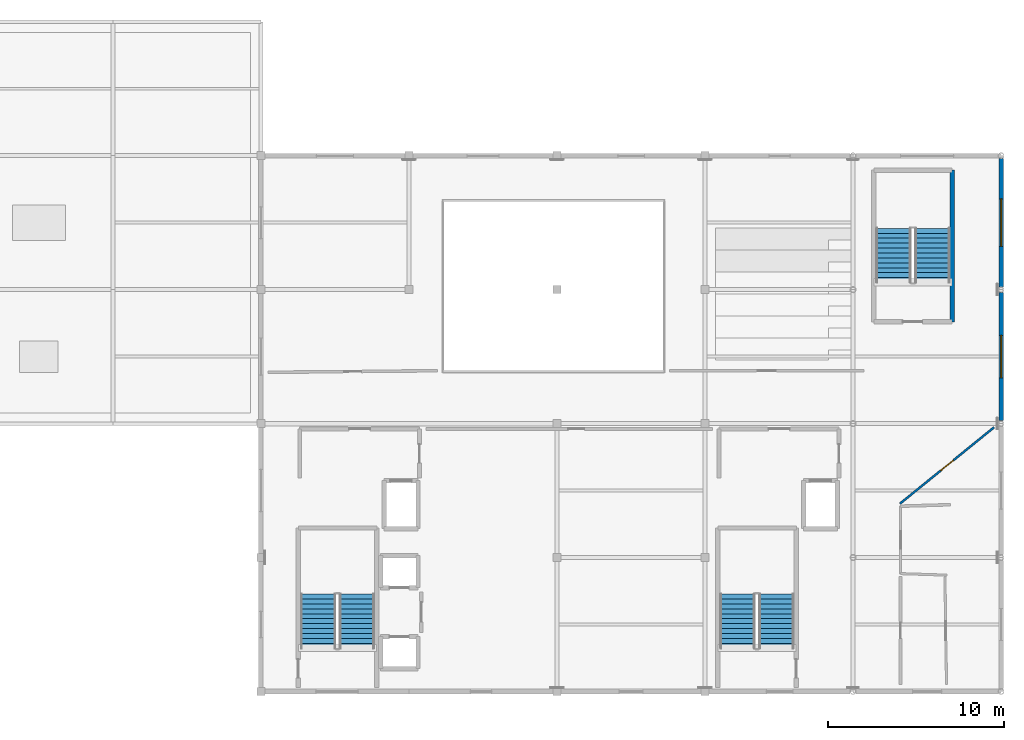
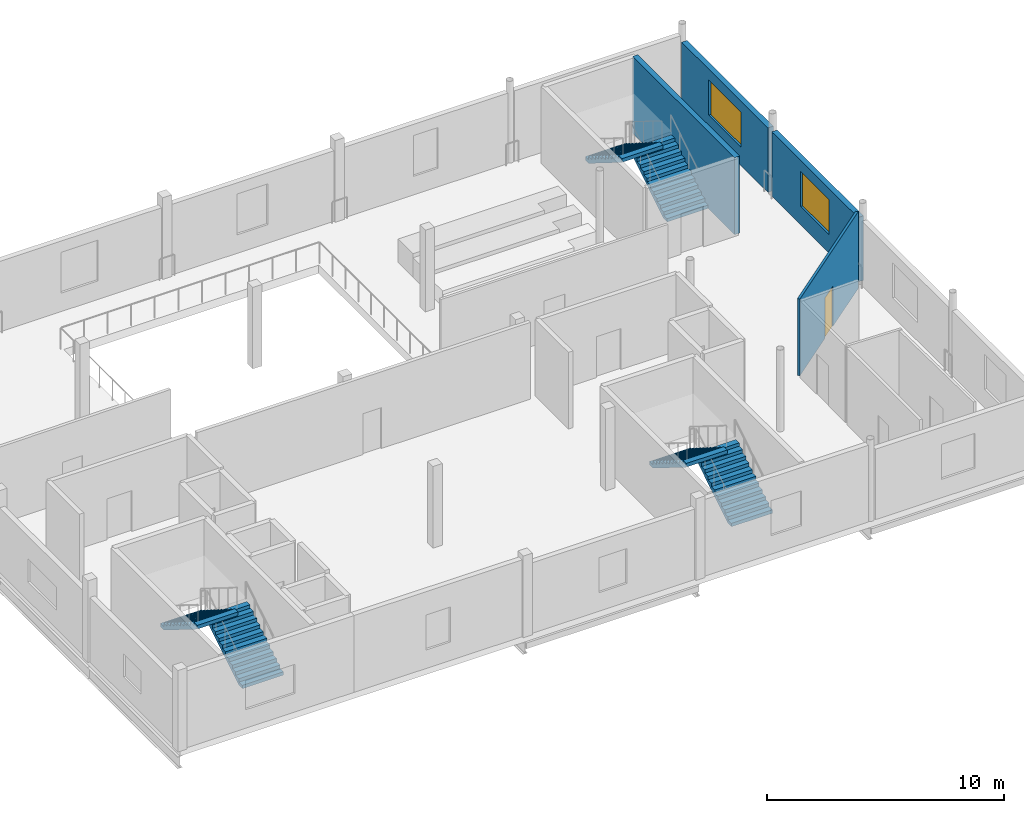
# One storey, part 8 of 13: 6 stair flights, 4 walls, 2 windows, 1 door, 3 openings, 3 elements without a shape of their own.
"""IFC4 building model written with IfcOpenShell, lengths in metres."""

import ifcopenshell
import ifcopenshell.guid

model = None  # the IFC model being written
_history = None  # IfcOwnerHistory: only IFC2X3 demands one
_inside = {}  # id of a spatial element -> (the spatial element, [elements in it])
_under = {}  # id of a project, library or spatial element -> (it, [spatial elements below it])
_declared = {}  # id of a project -> (the project, [libraries it declares])
_typed = {}  # id of a type object -> (the type object, [elements of that type])
_made_of = {}  # id of a material, layer set ... -> (it, [elements and type objects made of it])


def new_model(schema):
    """Start an empty IFC model of exactly this schema.

    Asked for "IFC4X3", IfcOpenShell would pick the latest addendum, in which some entities
    have other attributes; the version numbers below select the first issue.
    IFC2X3 requires an IfcOwnerHistory on every rooted entity: one is made here for all.
    """
    global model, _history
    if schema == "IFC4X3":
        model = ifcopenshell.file(schema_version=(4, 3, 0, 0))
    else:
        model = ifcopenshell.file(schema=schema)
    _inside.clear()
    _under.clear()
    _declared.clear()
    _typed.clear()
    _made_of.clear()
    _history = None
    if model.schema == "IFC2X3":
        org = make("IfcOrganization", Name="unknown")
        user = make(
            "IfcPersonAndOrganization",
            ThePerson=make("IfcPerson", FamilyName="unknown"),
            TheOrganization=org,
        )
        app = make(
            "IfcApplication",
            ApplicationDeveloper=org,
            Version="unknown",
            ApplicationFullName="unknown",
            ApplicationIdentifier="unknown",
        )
        _history = make(
            "IfcOwnerHistory",
            OwningUser=user,
            OwningApplication=app,
            ChangeAction="ADDED",
            CreationDate=0,
        )
    return model


def make(cls, **values):
    """One entity of the class cls with the attributes given. An attribute that is None is left unset."""
    return model.create_entity(
        cls, **{name: value for name, value in values.items() if value is not None}
    )


def rooted(cls, **values):
    """An entity with a GlobalId (a new one), such as an element, a storey or a relation."""
    return make(cls, GlobalId=ifcopenshell.guid.new(), OwnerHistory=_history, **values)


def si_unit(unit_type, name, prefix=None):
    """IfcSIUnit, for example si_unit("LENGTHUNIT", "METRE", prefix="MILLI")."""
    return make("IfcSIUnit", UnitType=unit_type, Prefix=prefix, Name=name)


def assignment(units):
    """IfcUnitAssignment: the units of a project."""
    return None if units is None else make("IfcUnitAssignment", Units=units)


def point(xyz):
    """IfcCartesianPoint."""
    return None if xyz is None else make("IfcCartesianPoint", Coordinates=xyz)


def direction(xyz):
    """IfcDirection."""
    return None if xyz is None else make("IfcDirection", DirectionRatios=xyz)


def frame(location, z_axis=None, x_axis=None):
    """IfcAxis2Placement3D, a coordinate frame: its origin and axes. An axis left out is left unset."""
    return make(
        "IfcAxis2Placement3D",
        Location=point(location),
        Axis=direction(z_axis),
        RefDirection=direction(x_axis),
    )


def frame_2d(location, x_axis=None):
    """IfcAxis2Placement2D, a coordinate frame in the plane: its origin and x axis."""
    return make(
        "IfcAxis2Placement2D", Location=point(location), RefDirection=direction(x_axis)
    )


def origin():
    """The frame at (0, 0, 0) with its axes left unset."""
    return frame((0.0, 0.0, 0.0))


def place(relative_to, where):
    """IfcLocalPlacement: puts the frame where relative to a parent placement (None: the world)."""
    return make(
        "IfcLocalPlacement", PlacementRelTo=relative_to, RelativePlacement=where
    )


def context(
    kind, dimensions, precision=None, world=None, true_north=None, identifier=None
):
    """IfcGeometricRepresentationContext, for example the 3D "Model" context."""
    return make(
        "IfcGeometricRepresentationContext",
        ContextIdentifier=identifier,
        ContextType=kind,
        CoordinateSpaceDimension=dimensions,
        Precision=precision,
        WorldCoordinateSystem=world,
        TrueNorth=true_north,
    )


def subcontext(parent, identifier, kind, view, scale=None):
    """IfcGeometricRepresentationSubContext, for example "Body" below "Model"."""
    return make(
        "IfcGeometricRepresentationSubContext",
        ContextIdentifier=identifier,
        ContextType=kind,
        ParentContext=parent,
        TargetScale=scale,
        TargetView=view,
    )


def project(units=None, contexts=None):
    """IfcProject with its units and contexts."""
    return rooted(
        "IfcProject",
        Name="project",
        RepresentationContexts=contexts,
        UnitsInContext=assignment(units),
    )


def spatial(cls, under=None, at=None, **own):
    """A site, building, storey or space (cls), placed at a placement, below another one or the project."""
    s = rooted(cls, ObjectPlacement=at, **own)
    if under is not None:
        _under.setdefault(under.id(), (under, []))[1].append(s)
    return s


def polyline(points):
    """IfcPolyline through the points."""
    return make("IfcPolyline", Points=[point(p) for p in points])


def profile(cls, at=None, kind="AREA", **sizes):
    """A parametric profile (cls). Its sizes go by their IFC names, for example OverallWidth=200.0."""
    return make(cls, ProfileType=kind, Position=at, **sizes)


def rectangle(**sizes):
    """IfcRectangleProfileDef."""
    return profile("IfcRectangleProfileDef", **sizes)


def outline(outer, holes=None, kind="AREA"):
    """IfcArbitraryClosedProfileDef: a profile drawn as a closed curve; with holes, ...WithVoids."""
    if holes is None:
        return make("IfcArbitraryClosedProfileDef", ProfileType=kind, OuterCurve=outer)
    return make(
        "IfcArbitraryProfileDefWithVoids",
        ProfileType=kind,
        OuterCurve=outer,
        InnerCurves=holes,
    )


def extrude(swept, where, along, depth):
    """IfcExtrudedAreaSolid: the profile swept, set in the frame where, extruded along a direction by depth."""
    return make(
        "IfcExtrudedAreaSolid",
        SweptArea=swept,
        Position=where,
        ExtrudedDirection=direction(along),
        Depth=depth,
    )


def shape(context_of_items, identifier, shape_type, items):
    """IfcShapeRepresentation: the items that make up one representation, for example the "Body"."""
    return make(
        "IfcShapeRepresentation",
        ContextOfItems=context_of_items,
        RepresentationIdentifier=identifier,
        RepresentationType=shape_type,
        Items=items,
    )


def material(Name=None, Category=None):
    """IfcMaterial."""
    return make("IfcMaterial", Name=Name, Category=Category)


def layer(
    of_material, thickness, ventilated=None, Name=None, Category=None, Priority=None
):
    """IfcMaterialLayer: one layer of a wall or slab, of a material (None: an air gap)."""
    return make(
        "IfcMaterialLayer",
        Material=of_material,
        LayerThickness=thickness,
        IsVentilated=ventilated,
        Name=Name,
        Category=Category,
        Priority=Priority,
    )


def layer_set(layers, Name=None):
    """IfcMaterialLayerSet."""
    return make("IfcMaterialLayerSet", MaterialLayers=layers, LayerSetName=Name)


def made_of(thing, what):
    """Note that an element or type object is made of a material, layer set ...; save() writes the relation."""
    if what is not None:
        _made_of.setdefault(what.id(), (what, []))[1].append(thing)
    return thing


def type_object(cls, material=None, **own):
    """A type object (cls), such as IfcWallType, which elements share."""
    return made_of(rooted(cls, **own), material)


def element(
    cls,
    number,
    at=None,
    inside=None,
    cuts=None,
    type_object=None,
    material=None,
    context=None,
    identifier="Body",
    shape_type=None,
    held_by="IfcProductDefinitionShape",
    body=None,
    shapes=None,
    **own,
):
    """One element of the class cls, such as IfcWall. Its Tag is "e" and its number.

    at: its placement. inside: the storey or other place that contains it. cuts: it is an
    opening in that element (IfcRelVoidsElement). A single representation is given by context,
    identifier, shape_type and body (its items); several are given by shapes. held_by: the class
    of the entity that holds the representations. save() writes the other relations.
    """
    e = rooted(cls, Tag="e%d" % number, ObjectPlacement=at, **own)
    if body is not None:
        shapes = [shape(context, identifier, shape_type, body)]
    if shapes is not None:
        e.Representation = make(held_by, Representations=shapes)
    if inside is not None:
        _inside.setdefault(inside.id(), (inside, []))[1].append(e)
    if cuts is not None:
        rooted(
            "IfcRelVoidsElement", RelatingBuildingElement=cuts, RelatedOpeningElement=e
        )
    if type_object is not None:
        _typed.setdefault(type_object.id(), (type_object, []))[1].append(e)
    return made_of(e, material)


def fill(opening, filler):
    """IfcRelFillsElement: the door or window that sits in an opening."""
    return rooted(
        "IfcRelFillsElement",
        RelatingOpeningElement=opening,
        RelatedBuildingElement=filler,
    )


def aggregate(whole, parts):
    """IfcRelAggregates: a whole, such as a stair, and the parts it consists of."""
    return rooted("IfcRelAggregates", RelatingObject=whole, RelatedObjects=parts)


def save(model, path):
    """Write the relations noted so far, then the file.

    IfcRelAggregates (storeys below a building ...), IfcRelContainedInSpatialStructure (elements
    in a storey), IfcRelDefinesByType, IfcRelAssociatesMaterial and IfcRelDeclares: one each for
    every whole, place, type object, material and project.
    """
    for whole, parts in _under.values():
        aggregate(whole, parts)
    for where, things in _inside.values():
        rooted(
            "IfcRelContainedInSpatialStructure",
            RelatedElements=things,
            RelatingStructure=where,
        )
    for kind, things in _typed.values():
        rooted("IfcRelDefinesByType", RelatedObjects=things, RelatingType=kind)
    for what, things in _made_of.values():
        rooted("IfcRelAssociatesMaterial", RelatedObjects=things, RelatingMaterial=what)
    for by, libraries in _declared.values():
        rooted("IfcRelDeclares", RelatingContext=by, RelatedDefinitions=libraries)
    model.write(path)


model = new_model("IFC4")

# Units and contexts
model_context = context("Model", 3, precision=1e-05, world=origin(), true_north=direction((0.0, 1.0)))
body_context = subcontext(model_context, "Body", "Model", "MODEL_VIEW")
ifc_project = project(units=[si_unit("LENGTHUNIT", "METRE"), si_unit("AREAUNIT", "SQUARE_METRE"), si_unit("VOLUMEUNIT", "CUBIC_METRE"), si_unit("PLANEANGLEUNIT", "RADIAN"), si_unit("MASSUNIT", "GRAM", prefix="KILO")], contexts=[model_context])

# Site, building, storey
site_placement = place(None, origin())
site = spatial("IfcSite", under=ifc_project, at=site_placement, CompositionType="ELEMENT")
building_placement = place(site_placement, origin())
building = spatial("IfcBuilding", under=site, at=building_placement, Name="Zuvorla Pavilion Media Centre", CompositionType="ELEMENT")
storey_placement = place(building_placement, frame((0.0, 0.0, 22.199951171875)))
storey = spatial("IfcBuildingStorey", under=building, at=storey_placement, Name="L05", CompositionType="ELEMENT", Elevation=22.199951171875)

# Wall
ifc_material_1 = material(Name="Concrete C40/50", Category="concrete")
ifc_layer_1 = layer(ifc_material_1, 0.25)
ifc_layer_set_1 = layer_set([ifc_layer_1], Name="Concrete C40/50")
wall_type_1 = type_object("IfcWallType", Name="WL-COR-250", PredefinedType="SHEAR", material=ifc_layer_set_1)
wall_1_placement = place(storey_placement, frame((106.02490234375, 26.97509765625, 0.0), z_axis=(0.0, 0.0, 1.0), x_axis=(0.0, 1.0, 0.0)))
element("IfcWall", 1, at=wall_1_placement, inside=storey, type_object=wall_type_1, Name="L05 shear wall CW25 326", PredefinedType="SHEAR", context=body_context, shape_type="SweptSolid", body=[
    extrude(rectangle(XDim=8.599853515625, YDim=0.25, at=frame_2d((4.2998046875, 0.0))), origin(), (0.0, 0.0, 1.0), 3.9599609375),
])

# Wall, opening, window
ifc_material_2 = material(Name="White rendered concrete C32/40", Category="concrete")
ifc_layer_2 = layer(ifc_material_2, 0.260009765625)
ifc_layer_set_2 = layer_set([ifc_layer_2], Name="White rendered concrete C32/40")
wall_type_2 = type_object("IfcWallType", Name="WL-EXT-260", PredefinedType="SOLIDWALL", material=ifc_layer_set_2)
wall_2_placement = place(storey_placement, frame((108.800048828125, 21.362060546875, 0.0), z_axis=(0.0, 0.0, 1.0), x_axis=(0.0, 1.0, 0.0)))
wall_2 = element("IfcWall", 2, at=wall_2_placement, inside=storey, type_object=wall_type_2, Name="L05 exterior solid wall EW04 306", PredefinedType="SOLIDWALL", context=body_context, shape_type="SweptSolid", body=[
    extrude(rectangle(XDim=7.27587890625, YDim=0.260009765625, at=frame_2d((3.637939453125, 0.0))), origin(), (0.0, 0.0, 1.0), 3.31494140625),
])
opening_1_placement = place(wall_2_placement, frame((2.43798828125, 0.0, 0.949951171875)))
opening_1 = element("IfcOpeningElement", 3, at=opening_1_placement, cuts=wall_2, Name="Opening WN14", PredefinedType="OPENING", context=body_context, shape_type="SweptSolid", body=[
    extrude(rectangle(XDim=2.39990234375, YDim=1.800048828125, at=frame_2d((1.199951171875, 0.89990234375))), frame((0.0, 0.139892578125, 0.0), z_axis=(0.0, -1.0, 0.0), x_axis=(1.0, 0.0, 0.0)), (0.0, 0.0, 1.0), 0.280029296875),
])
ifc_material_3 = material(Name="Anodised aluminium frame with solar double glazing", Category="aluminium")
window_type_1 = type_object("IfcWindowType", Name="WIN-WN14", PartitioningType="DOUBLE_PANEL_VERTICAL", PredefinedType="WINDOW", material=ifc_material_3)
window_1_placement = place(opening_1_placement, origin())
window_1 = element("IfcWindow", 4, at=window_1_placement, inside=storey, type_object=window_type_1, Name="L05 window WN14 126", OverallHeight=1.800048828125, OverallWidth=2.39990234375, PartitioningType="DOUBLE_PANEL_VERTICAL", PredefinedType="WINDOW", context=body_context, shape_type="SweptSolid", body=[
    extrude(rectangle(XDim=2.39990234375, YDim=1.800048828125, at=frame_2d((1.199951171875, 0.89990234375))), frame((0.0, 0.030029296875, 0.0), z_axis=(0.0, -1.0, 0.0), x_axis=(1.0, 0.0, 0.0)), (0.0, 0.0, 1.0), 0.06005859375),
])
fill(opening_1, window_1)

wall_3_placement = place(storey_placement, frame((108.800048828125, 28.9619140625, 0.0), z_axis=(0.0, 0.0, 1.0), x_axis=(0.0, 1.0, 0.0)))
wall_3 = element("IfcWall", 5, at=wall_3_placement, inside=storey, type_object=wall_type_2, Name="L05 exterior solid wall EW04 307", PredefinedType="SOLIDWALL", context=body_context, shape_type="SweptSolid", body=[
    extrude(rectangle(XDim=7.276123046875, YDim=0.260009765625, at=frame_2d((3.63818359375, 0.0))), origin(), (0.0, 0.0, 1.0), 3.31494140625),
])
opening_2_placement = place(wall_3_placement, frame((2.2880859375, 0.0, 0.949951171875)))
opening_2 = element("IfcOpeningElement", 6, at=opening_2_placement, cuts=wall_3, Name="Opening WN15", PredefinedType="OPENING", context=body_context, shape_type="SweptSolid", body=[
    extrude(rectangle(XDim=2.699951171875, YDim=1.800048828125, at=frame_2d((1.35009765625, 0.89990234375))), frame((0.0, 0.139892578125, 0.0), z_axis=(0.0, -1.0, 0.0), x_axis=(1.0, 0.0, 0.0)), (0.0, 0.0, 1.0), 0.280029296875),
])
window_type_2 = type_object("IfcWindowType", Name="WIN-WN15", PartitioningType="DOUBLE_PANEL_VERTICAL", PredefinedType="WINDOW", material=ifc_material_3)
window_2_placement = place(opening_2_placement, origin())
window_2 = element("IfcWindow", 7, at=window_2_placement, inside=storey, type_object=window_type_2, Name="L05 window WN15 127", OverallHeight=1.800048828125, OverallWidth=2.699951171875, PartitioningType="DOUBLE_PANEL_VERTICAL", PredefinedType="WINDOW", context=body_context, shape_type="SweptSolid", body=[
    extrude(rectangle(XDim=2.699951171875, YDim=1.800048828125, at=frame_2d((1.35009765625, 0.89990234375))), frame((0.0, 0.030029296875, 0.0), z_axis=(0.0, -1.0, 0.0), x_axis=(1.0, 0.0, 0.0)), (0.0, 0.0, 1.0), 0.06005859375),
])
fill(opening_2, window_2)

# Wall, opening, door
ifc_material_4 = material(Name="Lightweight gypsum partition")
ifc_layer_3 = layer(ifc_material_4, 0.1201171875)
ifc_layer_set_3 = layer_set([ifc_layer_3], Name="Lightweight gypsum partition")
wall_type_3 = type_object("IfcWallType", Name="WL-PRT-120", PredefinedType="PARTITIONING", material=ifc_layer_set_3)
wall_4_placement = place(storey_placement, frame((108.39990234375, 20.989990234375, 0.0), z_axis=(0.0, 0.0, 1.0), x_axis=(-0.776643958555, -0.62993980795, 0.0)))
wall_4 = element("IfcWall", 8, at=wall_4_placement, inside=storey, type_object=wall_type_3, Name="L05 partition PT12 561", PredefinedType="PARTITIONING", context=body_context, shape_type="SweptSolid", body=[
    extrude(rectangle(XDim=6.873046875, YDim=0.1201171875, at=frame_2d((3.4365234375, 0.0))), origin(), (0.0, 0.0, 1.0), 3.949951171875),
])
opening_3_placement = place(wall_4_placement, frame((2.9765625, 0.0, 0.0)))
opening_3 = element("IfcOpeningElement", 9, at=opening_3_placement, cuts=wall_4, Name="Opening ID02", PredefinedType="OPENING", context=body_context, shape_type="SweptSolid", body=[
    extrude(rectangle(XDim=0.919921875, YDim=2.080078125, at=frame_2d((0.4599609375, 1.0400390625))), frame((0.0, 0.070068359375, 0.0), z_axis=(0.0, -1.0, 0.0), x_axis=(1.0, 0.0, 0.0)), (0.0, 0.0, 1.0), 0.14013671875),
])
ifc_material_5 = material(Name="Hardwood acoustic studio door in anodised frame", Category="wood")
door_type = type_object("IfcDoorType", Name="DR-UNR-ID02", OperationType="NOTDEFINED", PredefinedType="DOOR", material=ifc_material_5)
door_placement = place(opening_3_placement, origin())
door = element("IfcDoor", 10, at=door_placement, inside=storey, type_object=door_type, Name="Interior door ID02 249", OperationType="SINGLE_SWING_RIGHT", OverallHeight=2.080078125, OverallWidth=0.919921875, PredefinedType="DOOR", context=body_context, shape_type="SweptSolid", body=[
    extrude(rectangle(XDim=0.919921875, YDim=2.080078125, at=frame_2d((0.4599609375, 1.0400390625))), frame((0.0, 0.02490234375, 0.0), z_axis=(0.0, -1.0, 0.0), x_axis=(1.0, 0.0, 0.0)), (0.0, 0.0, 1.0), 0.050048828125),
])
fill(opening_3, door)

# Stair, stair flights
stair_type = type_object("IfcStairType", Name="STR-DOG-420", PredefinedType="TWO_STRAIGHT_RUN_STAIR", material=ifc_material_1)
stair_1_placement = place(storey_placement, origin())
stair_1 = element("IfcStair", 11, at=stair_1_placement, inside=storey, type_object=stair_type, Name="L05 exit stair ST-01", PredefinedType="TWO_STRAIGHT_RUN_STAIR")
stair_flight_type = type_object("IfcStairFlightType", Name="FLT-DOG-420", PredefinedType="STRAIGHT", material=ifc_material_1)
stair_flight_1_placement = place(storey_placement, frame((72.25, 8.449951171875, 0.0), z_axis=(0.0, 0.0, 1.0), x_axis=(0.0, 1.0, 0.0)))
stair_flight_1 = element("IfcStairFlight", 12, at=stair_flight_1_placement, type_object=stair_flight_type, Name="ST-01 flight 1", NumberOfRisers=12, NumberOfTreads=11, PredefinedType="STRAIGHT", RiserHeight=0.175, TreadLength=0.28, context=body_context, shape_type="SweptSolid", body=[
    extrude(outline(polyline([(0.0, 0.0), (0.0, 0.175048828125), (0.280029296875, 0.175048828125), (0.280029296875, 0.35009765625), (0.56005859375, 0.35009765625), (0.56005859375, 0.52490234375), (0.840087890625, 0.52490234375), (0.840087890625, 0.699951171875), (1.1201171875, 0.699951171875), (1.1201171875, 0.875), (1.39990234375, 0.875), (1.39990234375, 1.050048828125), (1.679931640625, 1.050048828125), (1.679931640625, 1.22509765625), (1.9599609375, 1.22509765625), (1.9599609375, 1.39990234375), (2.239990234375, 1.39990234375), (2.239990234375, 1.574951171875), (2.52001953125, 1.574951171875), (2.52001953125, 1.75), (2.800048828125, 1.75), (2.800048828125, 1.925048828125), (3.080078125, 1.925048828125), (3.080078125, 2.10009765625), (3.080078125, 1.736328125), (0.3017578125, 0.0), (0.0, 0.0)])), frame((0.0, 1.0, 0.0), z_axis=(0.0, -1.0, 0.0), x_axis=(1.0, 0.0, 0.0)), (0.0, 0.0, 1.0), 2.0),
])
stair_flight_2_placement = place(storey_placement, frame((70.050048828125, 11.530029296875, 2.10009765625), z_axis=(0.0, 0.0, 1.0), x_axis=(0.0, -1.0, 0.0)))
stair_flight_2 = element("IfcStairFlight", 13, at=stair_flight_2_placement, type_object=stair_flight_type, Name="ST-01 flight 2", NumberOfRisers=12, NumberOfTreads=11, PredefinedType="STRAIGHT", RiserHeight=0.175, TreadLength=0.28, context=body_context, shape_type="SweptSolid", body=[
    extrude(outline(polyline([(0.0, 0.0), (0.0, 0.175048828125), (0.280029296875, 0.175048828125), (0.280029296875, 0.35009765625), (0.56005859375, 0.35009765625), (0.56005859375, 0.52490234375), (0.840087890625, 0.52490234375), (0.840087890625, 0.699951171875), (1.1201171875, 0.699951171875), (1.1201171875, 0.875), (1.39990234375, 0.875), (1.39990234375, 1.050048828125), (1.679931640625, 1.050048828125), (1.679931640625, 1.22509765625), (1.9599609375, 1.22509765625), (1.9599609375, 1.39990234375), (2.239990234375, 1.39990234375), (2.239990234375, 1.574951171875), (2.52001953125, 1.574951171875), (2.52001953125, 1.75), (2.800048828125, 1.75), (2.800048828125, 1.925048828125), (3.080078125, 1.925048828125), (3.080078125, 2.10009765625), (3.080078125, 1.736328125), (0.3017578125, 0.0), (0.0, 0.0)])), frame((0.0, 1.0, 0.0), z_axis=(0.0, -1.0, 0.0), x_axis=(1.0, 0.0, 0.0)), (0.0, 0.0, 1.0), 2.0),
])
aggregate(stair_1, [stair_flight_1, stair_flight_2])

stair_2_placement = place(storey_placement, origin())
stair_2 = element("IfcStair", 14, at=stair_2_placement, inside=storey, type_object=stair_type, Name="L05 exit stair ST-02", PredefinedType="TWO_STRAIGHT_RUN_STAIR")
stair_flight_3_placement = place(storey_placement, frame((96.050048828125, 8.449951171875, 0.0), z_axis=(0.0, 0.0, 1.0), x_axis=(0.0, 1.0, 0.0)))
stair_flight_3 = element("IfcStairFlight", 15, at=stair_flight_3_placement, type_object=stair_flight_type, Name="ST-02 flight 1", NumberOfRisers=12, NumberOfTreads=11, PredefinedType="STRAIGHT", RiserHeight=0.175, TreadLength=0.28, context=body_context, shape_type="SweptSolid", body=[
    extrude(outline(polyline([(0.0, 0.0), (0.0, 0.175048828125), (0.280029296875, 0.175048828125), (0.280029296875, 0.35009765625), (0.56005859375, 0.35009765625), (0.56005859375, 0.52490234375), (0.840087890625, 0.52490234375), (0.840087890625, 0.699951171875), (1.1201171875, 0.699951171875), (1.1201171875, 0.875), (1.39990234375, 0.875), (1.39990234375, 1.050048828125), (1.679931640625, 1.050048828125), (1.679931640625, 1.22509765625), (1.9599609375, 1.22509765625), (1.9599609375, 1.39990234375), (2.239990234375, 1.39990234375), (2.239990234375, 1.574951171875), (2.52001953125, 1.574951171875), (2.52001953125, 1.75), (2.800048828125, 1.75), (2.800048828125, 1.925048828125), (3.080078125, 1.925048828125), (3.080078125, 2.10009765625), (3.080078125, 1.736328125), (0.3017578125, 0.0), (0.0, 0.0)])), frame((0.0, 1.0, 0.0), z_axis=(0.0, -1.0, 0.0), x_axis=(1.0, 0.0, 0.0)), (0.0, 0.0, 1.0), 2.0),
])
stair_flight_4_placement = place(storey_placement, frame((93.85009765625, 11.530029296875, 2.10009765625), z_axis=(0.0, 0.0, 1.0), x_axis=(0.0, -1.0, 0.0)))
stair_flight_4 = element("IfcStairFlight", 16, at=stair_flight_4_placement, type_object=stair_flight_type, Name="ST-02 flight 2", NumberOfRisers=12, NumberOfTreads=11, PredefinedType="STRAIGHT", RiserHeight=0.175, TreadLength=0.28, context=body_context, shape_type="SweptSolid", body=[
    extrude(outline(polyline([(0.0, 0.0), (0.0, 0.175048828125), (0.280029296875, 0.175048828125), (0.280029296875, 0.35009765625), (0.56005859375, 0.35009765625), (0.56005859375, 0.52490234375), (0.840087890625, 0.52490234375), (0.840087890625, 0.699951171875), (1.1201171875, 0.699951171875), (1.1201171875, 0.875), (1.39990234375, 0.875), (1.39990234375, 1.050048828125), (1.679931640625, 1.050048828125), (1.679931640625, 1.22509765625), (1.9599609375, 1.22509765625), (1.9599609375, 1.39990234375), (2.239990234375, 1.39990234375), (2.239990234375, 1.574951171875), (2.52001953125, 1.574951171875), (2.52001953125, 1.75), (2.800048828125, 1.75), (2.800048828125, 1.925048828125), (3.080078125, 1.925048828125), (3.080078125, 2.10009765625), (3.080078125, 1.736328125), (0.3017578125, 0.0), (0.0, 0.0)])), frame((0.0, 1.0, 0.0), z_axis=(0.0, -1.0, 0.0), x_axis=(1.0, 0.0, 0.0)), (0.0, 0.0, 1.0), 2.0),
])
aggregate(stair_2, [stair_flight_3, stair_flight_4])

stair_3_placement = place(storey_placement, origin())
stair_3 = element("IfcStair", 17, at=stair_3_placement, inside=storey, type_object=stair_type, Name="L05 exit stair ST-04", PredefinedType="TWO_STRAIGHT_RUN_STAIR")
stair_flight_5_placement = place(storey_placement, frame((104.89990234375, 29.199951171875, 0.0), z_axis=(0.0, 0.0, 1.0), x_axis=(0.0, 1.0, 0.0)))
stair_flight_5 = element("IfcStairFlight", 18, at=stair_flight_5_placement, type_object=stair_flight_type, Name="ST-04 flight 1", NumberOfRisers=12, NumberOfTreads=11, PredefinedType="STRAIGHT", RiserHeight=0.175, TreadLength=0.28, context=body_context, shape_type="SweptSolid", body=[
    extrude(outline(polyline([(0.0, 0.0), (0.0, 0.175048828125), (0.280029296875, 0.175048828125), (0.280029296875, 0.35009765625), (0.56005859375, 0.35009765625), (0.56005859375, 0.52490234375), (0.840087890625, 0.52490234375), (0.840087890625, 0.699951171875), (1.1201171875, 0.699951171875), (1.1201171875, 0.875), (1.39990234375, 0.875), (1.39990234375, 1.050048828125), (1.679931640625, 1.050048828125), (1.679931640625, 1.22509765625), (1.9599609375, 1.22509765625), (1.9599609375, 1.39990234375), (2.239990234375, 1.39990234375), (2.239990234375, 1.574951171875), (2.52001953125, 1.574951171875), (2.52001953125, 1.75), (2.800048828125, 1.75), (2.800048828125, 1.925048828125), (3.080078125, 1.925048828125), (3.080078125, 2.10009765625), (3.080078125, 1.736328125), (0.3017578125, 0.0), (0.0, 0.0)])), frame((0.0, 1.0, 0.0), z_axis=(0.0, -1.0, 0.0), x_axis=(1.0, 0.0, 0.0)), (0.0, 0.0, 1.0), 2.0),
])
stair_flight_6_placement = place(storey_placement, frame((102.699951171875, 32.280029296875, 2.10009765625), z_axis=(0.0, 0.0, 1.0), x_axis=(0.0, -1.0, 0.0)))
stair_flight_6 = element("IfcStairFlight", 19, at=stair_flight_6_placement, type_object=stair_flight_type, Name="ST-04 flight 2", NumberOfRisers=12, NumberOfTreads=11, PredefinedType="STRAIGHT", RiserHeight=0.175, TreadLength=0.28, context=body_context, shape_type="SweptSolid", body=[
    extrude(outline(polyline([(0.0, 0.0), (0.0, 0.175048828125), (0.280029296875, 0.175048828125), (0.280029296875, 0.35009765625), (0.56005859375, 0.35009765625), (0.56005859375, 0.52490234375), (0.840087890625, 0.52490234375), (0.840087890625, 0.699951171875), (1.1201171875, 0.699951171875), (1.1201171875, 0.875), (1.39990234375, 0.875), (1.39990234375, 1.050048828125), (1.679931640625, 1.050048828125), (1.679931640625, 1.22509765625), (1.9599609375, 1.22509765625), (1.9599609375, 1.39990234375), (2.239990234375, 1.39990234375), (2.239990234375, 1.574951171875), (2.52001953125, 1.574951171875), (2.52001953125, 1.75), (2.800048828125, 1.75), (2.800048828125, 1.925048828125), (3.080078125, 1.925048828125), (3.080078125, 2.10009765625), (3.080078125, 1.736328125), (0.3017578125, 0.0), (0.0, 0.0)])), frame((0.0, 1.0, 0.0), z_axis=(0.0, -1.0, 0.0), x_axis=(1.0, 0.0, 0.0)), (0.0, 0.0, 1.0), 2.0),
])
aggregate(stair_3, [stair_flight_5, stair_flight_6])

save(model, "model.ifc")
